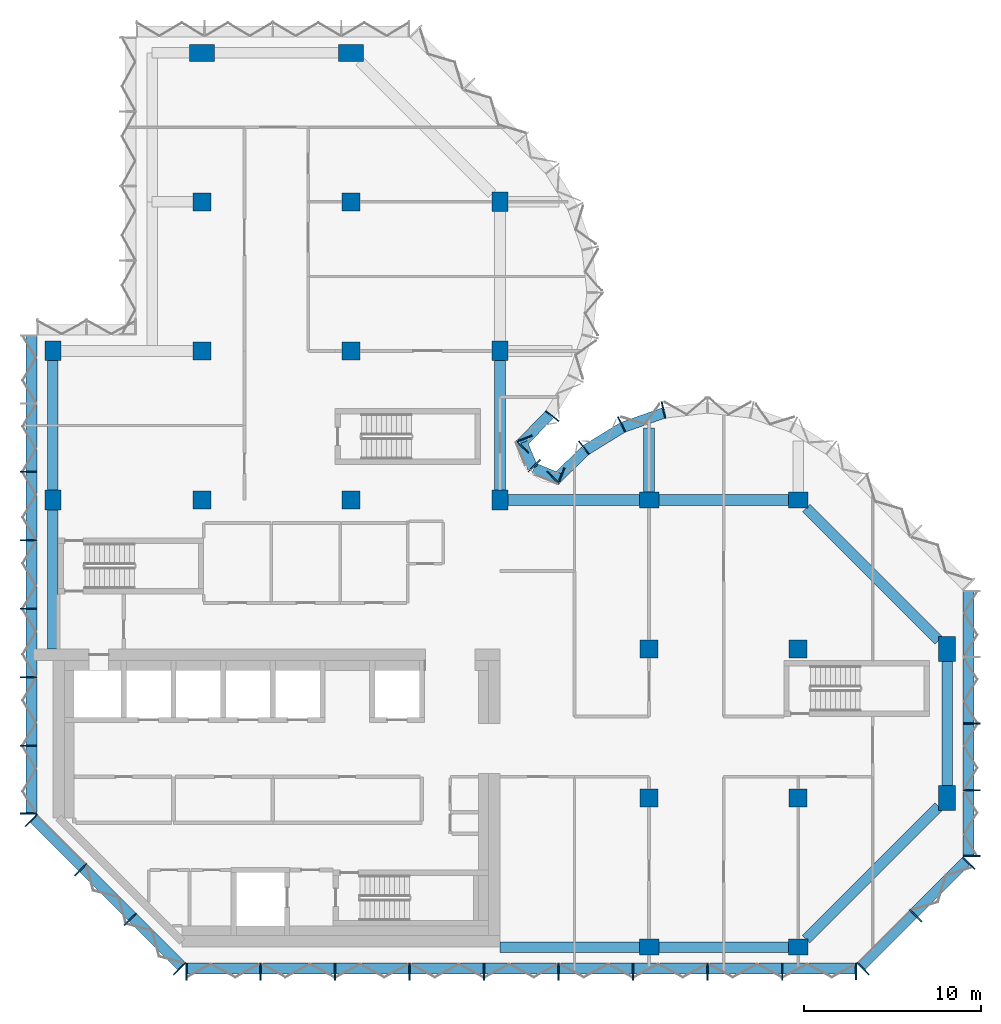
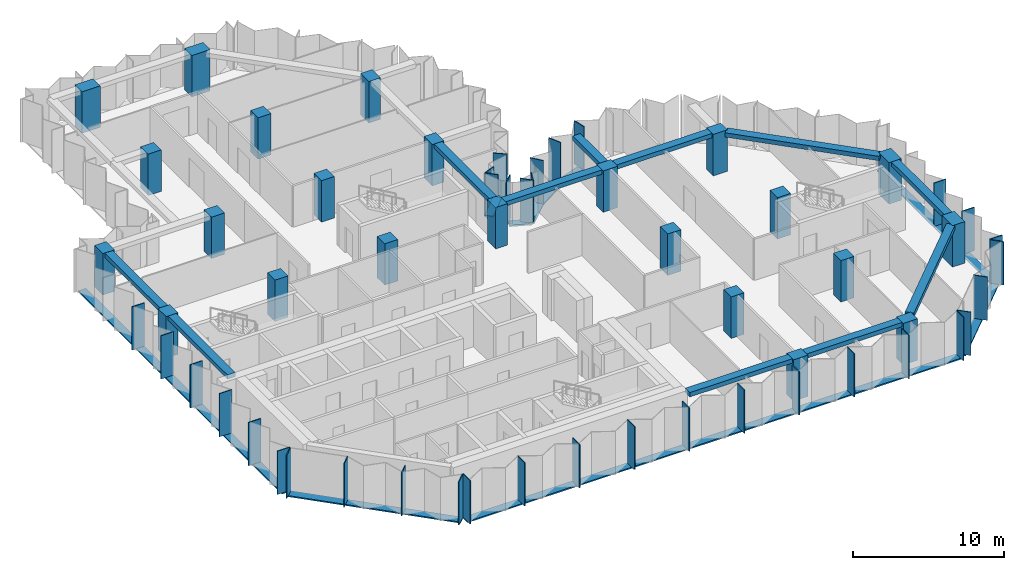
# One storey, part 1 of 10: 46 members, 23 columns, 11 beams, 8 elements without a shape of their own.
"""IFC4 building model written with IfcOpenShell, lengths in metres."""

from ifc_helpers import new_model, si_unit, direction, frame, origin, origin_2d, place, context, subcontext, project, spatial, rectangle, extrude, material, material_profile, profile_set, type_object, element, aggregate, save


model = new_model("IFC4")

# Units and contexts
model_context = context("Model", 3, precision=1e-05, world=origin(), true_north=direction((0.0, 1.0)))
body_context = subcontext(model_context, "Body", "Model", "MODEL_VIEW")
ifc_project = project(units=[si_unit("LENGTHUNIT", "METRE"), si_unit("AREAUNIT", "SQUARE_METRE"), si_unit("VOLUMEUNIT", "CUBIC_METRE"), si_unit("PLANEANGLEUNIT", "RADIAN"), si_unit("MASSUNIT", "GRAM", prefix="KILO")], contexts=[model_context])

# Site, building, storey
site_placement = place(None, origin())
site = spatial("IfcSite", under=ifc_project, at=site_placement, CompositionType="ELEMENT")
building_placement = place(site_placement, origin())
building = spatial("IfcBuilding", under=site, at=building_placement, Name="Brevane Broadcast Tower", CompositionType="ELEMENT")
storey_placement = place(building_placement, frame((0.0, 0.0, 199.199951171875)))
storey = spatial("IfcBuildingStorey", under=building, at=storey_placement, Name="L50", CompositionType="ELEMENT", Elevation=199.199951171875)

# Columns
ifc_material_1 = material(Name="Concrete C60/75", Category="concrete")
ifc_material_profile_1 = material_profile(ifc_material_1, rectangle(XDim=0.89990234375, YDim=1.10009765625, at=origin_2d()), Name="RC 900x1100")
ifc_profile_set_1 = profile_set([ifc_material_profile_1], Name="Concrete C60/75")
column_type_1 = type_object("IfcColumnType", Name="RC COLUMN EDGE 900x1100 C60/75", PredefinedType="COLUMN", material=ifc_profile_set_1)
for number, where, z_axis, x_axis, name in (
    (1, (0.0, 25.199951171875, 0.0), (0.0, 0.0, 1.0), (1.0, 0.0, 0.0), "CE11 1/D"),
    (2, (0.0, 33.60009765625, 0.0), (0.0, 0.0, 1.0), (1.0, 0.0, 0.0), "CE11 1/E"),
    (3, (25.199951171875, 25.199951171875, 0.0), (0.0, 0.0, 1.0), (1.0, 0.0, 0.0), "CE11 4/D"),
    (4, (25.199951171875, 33.60009765625, 0.0), (0.0, 0.0, 1.0), (1.0, 0.0, 0.0), "CE11 4/E"),
    (5, (25.199951171875, 42.0, 0.0), (0.0, 0.0, 1.0), (1.0, 0.0, 0.0), "CE11 4/F"),
    (6, (33.60009765625, 0.0, 0.0), (0.0, 0.0, 1.0), (0.0, 1.0, 0.0), "CE11 5/A"),
    (7, (33.60009765625, 25.199951171875, 0.0), (0.0, 0.0, 1.0), (0.0, 1.0, 0.0), "CE11 5/D"),
    (8, (42.0, 0.0, 0.0), (0.0, 0.0, 1.0), (0.0, 1.0, 0.0), "CE11 6/A"),
    (9, (42.0, 25.199951171875, 0.0), (0.0, 0.0, 1.0), (0.0, 1.0, 0.0), "CE11 6/D"),
):
    element("IfcColumn", number, at=place(storey_placement, frame(where, z_axis=z_axis, x_axis=x_axis)), inside=storey, type_object=column_type_1, Name=name, PredefinedType="COLUMN", context=body_context, shape_type="SweptSolid", body=[
        extrude(rectangle(XDim=0.89990234375, YDim=1.10009765625, at=origin_2d()), origin(), (0.0, 0.0, 1.0), 3.35009765625),
    ])
ifc_material_profile_2 = material_profile(ifc_material_1, rectangle(XDim=1.0, YDim=1.0, at=origin_2d()), Name="RC 1000x1000")
ifc_profile_set_2 = profile_set([ifc_material_profile_2], Name="Concrete C60/75")
column_type_2 = type_object("IfcColumnType", Name="RC COLUMN INTERIOR 1000x1000 C60/75", PredefinedType="COLUMN", material=ifc_profile_set_2)
for number, where, z_axis, x_axis, name in (
    (10, (8.39990234375, 25.199951171875, 0.0), (0.0, 0.0, 1.0), (1.0, 0.0, 0.0), "CI12 2/D"),
    (11, (8.39990234375, 33.60009765625, 0.0), (0.0, 0.0, 1.0), (1.0, 0.0, 0.0), "CI12 2/E"),
    (12, (8.39990234375, 42.0, 0.0), (0.0, 0.0, 1.0), (1.0, 0.0, 0.0), "CI12 2/F"),
    (13, (16.800048828125, 25.199951171875, 0.0), (0.0, 0.0, 1.0), (1.0, 0.0, 0.0), "CI12 3/D"),
    (14, (16.800048828125, 33.60009765625, 0.0), (0.0, 0.0, 1.0), (1.0, 0.0, 0.0), "CI12 3/E"),
    (15, (16.800048828125, 42.0, 0.0), (0.0, 0.0, 1.0), (1.0, 0.0, 0.0), "CI12 3/F"),
    (16, (33.60009765625, 8.39990234375, 0.0), (0.0, 0.0, 1.0), (1.0, 0.0, 0.0), "CI12 5/B"),
    (17, (33.60009765625, 16.800048828125, 0.0), (0.0, 0.0, 1.0), (1.0, 0.0, 0.0), "CI12 5/C"),
    (18, (42.0, 8.39990234375, 0.0), (0.0, 0.0, 1.0), (1.0, 0.0, 0.0), "CI12 6/B"),
    (19, (42.0, 16.800048828125, 0.0), (0.0, 0.0, 1.0), (1.0, 0.0, 0.0), "CI12 6/C"),
):
    element("IfcColumn", number, at=place(storey_placement, frame(where, z_axis=z_axis, x_axis=x_axis)), inside=storey, type_object=column_type_2, Name=name, PredefinedType="COLUMN", context=body_context, shape_type="SweptSolid", body=[
        extrude(rectangle(XDim=1.0, YDim=1.0, at=origin_2d()), origin(), (0.0, 0.0, 1.0), 3.35009765625),
    ])
ifc_material_profile_3 = material_profile(ifc_material_1, rectangle(XDim=0.949951171875, YDim=1.39990234375, at=origin_2d()), Name="RC 950x1400")
ifc_profile_set_3 = profile_set([ifc_material_profile_3], Name="Concrete C60/75")
column_type_3 = type_object("IfcColumnType", Name="RC COLUMN WING-END 950x1400 C60/75", PredefinedType="COLUMN", material=ifc_profile_set_3)
for number, where, z_axis, x_axis, name in (
    (20, (8.39990234375, 50.39990234375, 0.0), (0.0, 0.0, 1.0), (0.0, 1.0, 0.0), "CW13 2/G"),
    (21, (16.800048828125, 50.39990234375, 0.0), (0.0, 0.0, 1.0), (0.0, 1.0, 0.0), "CW13 3/G"),
    (22, (50.39990234375, 8.39990234375, 0.0), (0.0, 0.0, 1.0), (1.0, 0.0, 0.0), "CW13 7/B"),
    (23, (50.39990234375, 16.800048828125, 0.0), (0.0, 0.0, 1.0), (1.0, 0.0, 0.0), "CW13 7/C"),
):
    element("IfcColumn", number, at=place(storey_placement, frame(where, z_axis=z_axis, x_axis=x_axis)), inside=storey, type_object=column_type_3, Name=name, PredefinedType="COLUMN", context=body_context, shape_type="SweptSolid", body=[
        extrude(rectangle(XDim=0.949951171875, YDim=1.39990234375, at=origin_2d()), origin(), (0.0, 0.0, 1.0), 3.35009765625),
    ])

# Curtain wall, members
ifc_material_2 = material(Name="Aluminium 6063-T6 bronze anodised", Category="aluminium")
curtain_wall_type = type_object("IfcCurtainWallType", Name="CW-1 curtain wall", PredefinedType="NOTDEFINED", material=ifc_material_2)
curtain_wall_1_placement = place(storey_placement, origin())
curtain_wall_1 = element("IfcCurtainWall", 24, at=curtain_wall_1_placement, inside=storey, type_object=curtain_wall_type, Name="CW-1 typical tilted unit L50 south face", PredefinedType="NOTDEFINED")
ifc_material_profile_4 = material_profile(ifc_material_2, rectangle(XDim=0.949951171875, YDim=0.070068359375, at=origin_2d()), Name="RECT 70x950")
ifc_profile_set_4 = profile_set([ifc_material_profile_4], Name="Aluminium 6063-T6 bronze anodised")
member_type_1 = type_object("IfcMemberType", Name="CW-1 mullion 70x950", PredefinedType="MULLION", material=ifc_profile_set_4)
member_1_placement = place(storey_placement, frame((7.534912109375, -1.375, -0.14990234375), z_axis=(0.0, 0.0, 1.0), x_axis=(0.0, 1.0, 0.0)))
member_1 = element("IfcMember", 25, at=member_1_placement, type_object=member_type_1, Name="CW-1 mullion", PredefinedType="MULLION", context=body_context, shape_type="SweptSolid", body=[
    extrude(rectangle(XDim=0.949951171875, YDim=0.070068359375, at=origin_2d()), origin(), (0.0, 0.0, 1.0), 3.5),
])
member_2_placement = place(storey_placement, frame((11.699951171875, -1.375, -0.14990234375), z_axis=(0.0, 0.0, 1.0), x_axis=(0.0, 1.0, 0.0)))
member_2 = element("IfcMember", 26, at=member_2_placement, type_object=member_type_1, Name="CW-1 mullion", PredefinedType="MULLION", context=body_context, shape_type="SweptSolid", body=[
    extrude(rectangle(XDim=0.949951171875, YDim=0.070068359375, at=origin_2d()), origin(), (0.0, 0.0, 1.0), 3.5),
])
member_3_placement = place(storey_placement, frame((15.89990234375, -1.375, -0.14990234375), z_axis=(0.0, 0.0, 1.0), x_axis=(0.0, 1.0, 0.0)))
member_3 = element("IfcMember", 27, at=member_3_placement, type_object=member_type_1, Name="CW-1 mullion", PredefinedType="MULLION", context=body_context, shape_type="SweptSolid", body=[
    extrude(rectangle(XDim=0.949951171875, YDim=0.070068359375, at=origin_2d()), origin(), (0.0, 0.0, 1.0), 3.5),
])
member_4_placement = place(storey_placement, frame((20.10009765625, -1.375, -0.14990234375), z_axis=(0.0, 0.0, 1.0), x_axis=(0.0, 1.0, 0.0)))
member_4 = element("IfcMember", 28, at=member_4_placement, type_object=member_type_1, Name="CW-1 mullion", PredefinedType="MULLION", context=body_context, shape_type="SweptSolid", body=[
    extrude(rectangle(XDim=0.949951171875, YDim=0.070068359375, at=origin_2d()), origin(), (0.0, 0.0, 1.0), 3.5),
])
member_5_placement = place(storey_placement, frame((24.300048828125, -1.375, -0.14990234375), z_axis=(0.0, 0.0, 1.0), x_axis=(0.0, 1.0, 0.0)))
member_5 = element("IfcMember", 29, at=member_5_placement, type_object=member_type_1, Name="CW-1 mullion", PredefinedType="MULLION", context=body_context, shape_type="SweptSolid", body=[
    extrude(rectangle(XDim=0.949951171875, YDim=0.070068359375, at=origin_2d()), origin(), (0.0, 0.0, 1.0), 3.5),
])
member_6_placement = place(storey_placement, frame((28.5, -1.375, -0.14990234375), z_axis=(0.0, 0.0, 1.0), x_axis=(0.0, 1.0, 0.0)))
member_6 = element("IfcMember", 30, at=member_6_placement, type_object=member_type_1, Name="CW-1 mullion", PredefinedType="MULLION", context=body_context, shape_type="SweptSolid", body=[
    extrude(rectangle(XDim=0.949951171875, YDim=0.070068359375, at=origin_2d()), origin(), (0.0, 0.0, 1.0), 3.5),
])
member_7_placement = place(storey_placement, frame((32.699951171875, -1.375, -0.14990234375), z_axis=(0.0, 0.0, 1.0), x_axis=(0.0, 1.0, 0.0)))
member_7 = element("IfcMember", 31, at=member_7_placement, type_object=member_type_1, Name="CW-1 mullion", PredefinedType="MULLION", context=body_context, shape_type="SweptSolid", body=[
    extrude(rectangle(XDim=0.949951171875, YDim=0.070068359375, at=origin_2d()), origin(), (0.0, 0.0, 1.0), 3.5),
])
member_8_placement = place(storey_placement, frame((36.89990234375, -1.375, -0.14990234375), z_axis=(0.0, 0.0, 1.0), x_axis=(0.0, 1.0, 0.0)))
member_8 = element("IfcMember", 32, at=member_8_placement, type_object=member_type_1, Name="CW-1 mullion", PredefinedType="MULLION", context=body_context, shape_type="SweptSolid", body=[
    extrude(rectangle(XDim=0.949951171875, YDim=0.070068359375, at=origin_2d()), origin(), (0.0, 0.0, 1.0), 3.5),
])
member_9_placement = place(storey_placement, frame((41.10009765625, -1.375, -0.14990234375), z_axis=(0.0, 0.0, 1.0), x_axis=(0.0, 1.0, 0.0)))
member_9 = element("IfcMember", 33, at=member_9_placement, type_object=member_type_1, Name="CW-1 mullion", PredefinedType="MULLION", context=body_context, shape_type="SweptSolid", body=[
    extrude(rectangle(XDim=0.949951171875, YDim=0.070068359375, at=origin_2d()), origin(), (0.0, 0.0, 1.0), 3.5),
])
member_10_placement = place(storey_placement, frame((45.264892578125, -1.375, -0.14990234375), z_axis=(0.0, 0.0, 1.0), x_axis=(0.0, 1.0, 0.0)))
member_10 = element("IfcMember", 34, at=member_10_placement, type_object=member_type_1, Name="CW-1 mullion", PredefinedType="MULLION", context=body_context, shape_type="SweptSolid", body=[
    extrude(rectangle(XDim=0.949951171875, YDim=0.070068359375, at=origin_2d()), origin(), (0.0, 0.0, 1.0), 3.5),
])

curtain_wall_2_placement = place(storey_placement, origin())
curtain_wall_2 = element("IfcCurtainWall", 35, at=curtain_wall_2_placement, inside=storey, type_object=curtain_wall_type, Name="CW-1 typical tilted unit L50 south-east chamfer", PredefinedType="NOTDEFINED")
member_11_placement = place(storey_placement, frame((45.66064453125, -1.211181640625, -0.14990234375), z_axis=(0.0, 0.0, 1.0), x_axis=(-0.707106781187, 0.707106781187, 0.0)))
member_11 = element("IfcMember", 36, at=member_11_placement, type_object=member_type_1, Name="CW-1 mullion", PredefinedType="MULLION", context=body_context, shape_type="SweptSolid", body=[
    extrude(rectangle(XDim=0.949951171875, YDim=0.070068359375, at=origin_2d()), origin(), (0.0, 0.0, 1.0), 3.5),
])
member_12_placement = place(storey_placement, frame((48.635986328125, 1.76416015625, -0.14990234375), z_axis=(0.0, 0.0, 1.0), x_axis=(-0.707106781187, 0.707106781187, 0.0)))
member_12 = element("IfcMember", 37, at=member_12_placement, type_object=member_type_1, Name="CW-1 mullion", PredefinedType="MULLION", context=body_context, shape_type="SweptSolid", body=[
    extrude(rectangle(XDim=0.949951171875, YDim=0.070068359375, at=origin_2d()), origin(), (0.0, 0.0, 1.0), 3.5),
])
member_13_placement = place(storey_placement, frame((51.611083984375, 4.7392578125, -0.14990234375), z_axis=(0.0, 0.0, 1.0), x_axis=(-0.707106781187, 0.707106781187, 0.0)))
member_13 = element("IfcMember", 38, at=member_13_placement, type_object=member_type_1, Name="CW-1 mullion", PredefinedType="MULLION", context=body_context, shape_type="SweptSolid", body=[
    extrude(rectangle(XDim=0.949951171875, YDim=0.070068359375, at=origin_2d()), origin(), (0.0, 0.0, 1.0), 3.5),
])

curtain_wall_3_placement = place(storey_placement, origin())
curtain_wall_3 = element("IfcCurtainWall", 39, at=curtain_wall_3_placement, inside=storey, type_object=curtain_wall_type, Name="CW-1 typical tilted unit L50 east end", PredefinedType="NOTDEFINED")
member_14_placement = place(storey_placement, frame((51.77490234375, 5.135009765625, -0.14990234375), z_axis=(0.0, 0.0, 1.0), x_axis=(-1.0, 0.0, 0.0)))
member_14 = element("IfcMember", 40, at=member_14_placement, type_object=member_type_1, Name="CW-1 mullion", PredefinedType="MULLION", context=body_context, shape_type="SweptSolid", body=[
    extrude(rectangle(XDim=0.949951171875, YDim=0.070068359375, at=origin_2d()), origin(), (0.0, 0.0, 1.0), 3.5),
])
member_15_placement = place(storey_placement, frame((51.77490234375, 8.85009765625, -0.14990234375), z_axis=(0.0, 0.0, 1.0), x_axis=(-1.0, 0.0, 0.0)))
member_15 = element("IfcMember", 41, at=member_15_placement, type_object=member_type_1, Name="CW-1 mullion", PredefinedType="MULLION", context=body_context, shape_type="SweptSolid", body=[
    extrude(rectangle(XDim=0.949951171875, YDim=0.070068359375, at=origin_2d()), origin(), (0.0, 0.0, 1.0), 3.5),
])
member_16_placement = place(storey_placement, frame((51.77490234375, 12.60009765625, -0.14990234375), z_axis=(0.0, 0.0, 1.0), x_axis=(-1.0, 0.0, 0.0)))
member_16 = element("IfcMember", 42, at=member_16_placement, type_object=member_type_1, Name="CW-1 mullion", PredefinedType="MULLION", context=body_context, shape_type="SweptSolid", body=[
    extrude(rectangle(XDim=0.949951171875, YDim=0.070068359375, at=origin_2d()), origin(), (0.0, 0.0, 1.0), 3.5),
])

curtain_wall_4_placement = place(storey_placement, origin())
curtain_wall_4 = element("IfcCurtainWall", 43, at=curtain_wall_4_placement, inside=storey, type_object=curtain_wall_type, Name="CW-1 typical tilted unit L50 east bow", PredefinedType="NOTDEFINED")
member_17_placement = place(storey_placement, frame((34.411865234375, 30.28076171875, -0.14990234375), z_axis=(0.0, 0.0, 1.0), x_axis=(0.224806535479, -0.974403418306, 0.0)))
member_17 = element("IfcMember", 44, at=member_17_placement, type_object=member_type_1, Name="CW-1 mullion", PredefinedType="MULLION", context=body_context, shape_type="SweptSolid", body=[
    extrude(rectangle(XDim=0.949951171875, YDim=0.070068359375, at=origin_2d()), origin(), (0.0, 0.0, 1.0), 3.5),
])
member_18_placement = place(storey_placement, frame((32.05322265625, 29.4580078125, -0.14990234375), z_axis=(0.0, 0.0, 1.0), x_axis=(0.429933580394, -0.902860518823, 0.0)))
member_18 = element("IfcMember", 45, at=member_18_placement, type_object=member_type_1, Name="CW-1 mullion", PredefinedType="MULLION", context=body_context, shape_type="SweptSolid", body=[
    extrude(rectangle(XDim=0.949951171875, YDim=0.070068359375, at=origin_2d()), origin(), (0.0, 0.0, 1.0), 3.5),
])
member_19_placement = place(storey_placement, frame((29.927978515625, 28.1455078125, -0.14990234375), z_axis=(0.0, 0.0, 1.0), x_axis=(0.614769698862, -0.788706673841, 0.0)))
member_19 = element("IfcMember", 46, at=member_19_placement, type_object=member_type_1, Name="CW-1 mullion", PredefinedType="MULLION", context=body_context, shape_type="SweptSolid", body=[
    extrude(rectangle(XDim=0.949951171875, YDim=0.070068359375, at=origin_2d()), origin(), (0.0, 0.0, 1.0), 3.5),
])
member_20_placement = place(storey_placement, frame((28.194091796875, 26.465087890625, -0.14990234375), z_axis=(0.0, 0.0, 1.0), x_axis=(0.696812089895, -0.717253728729, 0.0)))
member_20 = element("IfcMember", 47, at=member_20_placement, type_object=member_type_1, Name="CW-1 mullion", PredefinedType="MULLION", context=body_context, shape_type="SweptSolid", body=[
    extrude(rectangle(XDim=0.949951171875, YDim=0.070068359375, at=origin_2d()), origin(), (0.0, 0.0, 1.0), 3.5),
])

curtain_wall_5_placement = place(storey_placement, origin())
curtain_wall_5 = element("IfcCurtainWall", 48, at=curtain_wall_5_placement, inside=storey, type_object=curtain_wall_type, Name="CW-1 typical tilted unit L50 inner corner", PredefinedType="NOTDEFINED")
member_21_placement = place(storey_placement, frame((28.6494140625, 26.55224609375, -0.14990234375), z_axis=(0.0, 0.0, 1.0), x_axis=(-0.382683432365, -0.923879532511, 0.0)))
member_21 = element("IfcMember", 49, at=member_21_placement, type_object=member_type_1, Name="CW-1 mullion", PredefinedType="MULLION", context=body_context, shape_type="SweptSolid", body=[
    extrude(rectangle(XDim=0.949951171875, YDim=0.070068359375, at=origin_2d()), origin(), (0.0, 0.0, 1.0), 3.5),
])
member_22_placement = place(storey_placement, frame((27.138916015625, 27.138916015625, -0.14990234375), z_axis=(0.0, 0.0, 1.0), x_axis=(-0.707106781187, -0.707106781187, 0.0)))
member_22 = element("IfcMember", 50, at=member_22_placement, type_object=member_type_1, Name="CW-1 mullion", PredefinedType="MULLION", context=body_context, shape_type="SweptSolid", body=[
    extrude(rectangle(XDim=0.949951171875, YDim=0.070068359375, at=origin_2d()), origin(), (0.0, 0.0, 1.0), 3.5),
])
member_23_placement = place(storey_placement, frame((26.55224609375, 28.6494140625, -0.14990234375), z_axis=(0.0, 0.0, 1.0), x_axis=(-0.923879532511, -0.382683432365, 0.0)))
member_23 = element("IfcMember", 51, at=member_23_placement, type_object=member_type_1, Name="CW-1 mullion", PredefinedType="MULLION", context=body_context, shape_type="SweptSolid", body=[
    extrude(rectangle(XDim=0.949951171875, YDim=0.070068359375, at=origin_2d()), origin(), (0.0, 0.0, 1.0), 3.5),
])

curtain_wall_6_placement = place(storey_placement, origin())
curtain_wall_6 = element("IfcCurtainWall", 52, at=curtain_wall_6_placement, inside=storey, type_object=curtain_wall_type, Name="CW-1 typical tilted unit L50 north bow", PredefinedType="NOTDEFINED")
member_24_placement = place(storey_placement, frame((26.465087890625, 28.194091796875, -0.14990234375), z_axis=(0.0, 0.0, 1.0), x_axis=(-0.717253728729, 0.696812089895, 0.0)))
member_24 = element("IfcMember", 53, at=member_24_placement, type_object=member_type_1, Name="CW-1 mullion", PredefinedType="MULLION", context=body_context, shape_type="SweptSolid", body=[
    extrude(rectangle(XDim=0.949951171875, YDim=0.070068359375, at=origin_2d()), origin(), (0.0, 0.0, 1.0), 3.5),
])
member_25_placement = place(storey_placement, frame((28.1455078125, 29.927978515625, -0.14990234375), z_axis=(0.0, 0.0, 1.0), x_axis=(-0.788706673841, 0.614769698862, 0.0)))
member_25 = element("IfcMember", 54, at=member_25_placement, type_object=member_type_1, Name="CW-1 mullion", PredefinedType="MULLION", context=body_context, shape_type="SweptSolid", body=[
    extrude(rectangle(XDim=0.949951171875, YDim=0.070068359375, at=origin_2d()), origin(), (0.0, 0.0, 1.0), 3.5),
])

curtain_wall_7_placement = place(storey_placement, origin())
curtain_wall_7 = element("IfcCurtainWall", 55, at=curtain_wall_7_placement, inside=storey, type_object=curtain_wall_type, Name="CW-1 typical tilted unit L50 west face", PredefinedType="NOTDEFINED")
member_26_placement = place(storey_placement, frame((-1.375, 26.78564453125, -0.14990234375), z_axis=(0.0, 0.0, 1.0), x_axis=(1.0, 0.0, 0.0)))
member_26 = element("IfcMember", 56, at=member_26_placement, type_object=member_type_1, Name="CW-1 mullion", PredefinedType="MULLION", context=body_context, shape_type="SweptSolid", body=[
    extrude(rectangle(XDim=0.949951171875, YDim=0.070068359375, at=origin_2d()), origin(), (0.0, 0.0, 1.0), 3.5),
])
member_27_placement = place(storey_placement, frame((-1.375, 22.928466796875, -0.14990234375), z_axis=(0.0, 0.0, 1.0), x_axis=(1.0, 0.0, 0.0)))
member_27 = element("IfcMember", 57, at=member_27_placement, type_object=member_type_1, Name="CW-1 mullion", PredefinedType="MULLION", context=body_context, shape_type="SweptSolid", body=[
    extrude(rectangle(XDim=0.949951171875, YDim=0.070068359375, at=origin_2d()), origin(), (0.0, 0.0, 1.0), 3.5),
])
member_28_placement = place(storey_placement, frame((-1.375, 19.071533203125, -0.14990234375), z_axis=(0.0, 0.0, 1.0), x_axis=(1.0, 0.0, 0.0)))
member_28 = element("IfcMember", 58, at=member_28_placement, type_object=member_type_1, Name="CW-1 mullion", PredefinedType="MULLION", context=body_context, shape_type="SweptSolid", body=[
    extrude(rectangle(XDim=0.949951171875, YDim=0.070068359375, at=origin_2d()), origin(), (0.0, 0.0, 1.0), 3.5),
])
member_29_placement = place(storey_placement, frame((-1.375, 15.21435546875, -0.14990234375), z_axis=(0.0, 0.0, 1.0), x_axis=(1.0, 0.0, 0.0)))
member_29 = element("IfcMember", 59, at=member_29_placement, type_object=member_type_1, Name="CW-1 mullion", PredefinedType="MULLION", context=body_context, shape_type="SweptSolid", body=[
    extrude(rectangle(XDim=0.949951171875, YDim=0.070068359375, at=origin_2d()), origin(), (0.0, 0.0, 1.0), 3.5),
])
member_30_placement = place(storey_placement, frame((-1.375, 11.357177734375, -0.14990234375), z_axis=(0.0, 0.0, 1.0), x_axis=(1.0, 0.0, 0.0)))
member_30 = element("IfcMember", 60, at=member_30_placement, type_object=member_type_1, Name="CW-1 mullion", PredefinedType="MULLION", context=body_context, shape_type="SweptSolid", body=[
    extrude(rectangle(XDim=0.949951171875, YDim=0.070068359375, at=origin_2d()), origin(), (0.0, 0.0, 1.0), 3.5),
])
member_31_placement = place(storey_placement, frame((-1.375, 7.534912109375, -0.14990234375), z_axis=(0.0, 0.0, 1.0), x_axis=(1.0, 0.0, 0.0)))
member_31 = element("IfcMember", 61, at=member_31_placement, type_object=member_type_1, Name="CW-1 mullion", PredefinedType="MULLION", context=body_context, shape_type="SweptSolid", body=[
    extrude(rectangle(XDim=0.949951171875, YDim=0.070068359375, at=origin_2d()), origin(), (0.0, 0.0, 1.0), 3.5),
])

curtain_wall_8_placement = place(storey_placement, origin())
curtain_wall_8 = element("IfcCurtainWall", 62, at=curtain_wall_8_placement, inside=storey, type_object=curtain_wall_type, Name="CW-1 typical tilted unit L50 south-west chamfer", PredefinedType="NOTDEFINED")
member_32_placement = place(storey_placement, frame((-1.211181640625, 7.139404296875, -0.14990234375), z_axis=(0.0, 0.0, 1.0), x_axis=(0.707106781187, 0.707106781187, 0.0)))
member_32 = element("IfcMember", 63, at=member_32_placement, type_object=member_type_1, Name="CW-1 mullion", PredefinedType="MULLION", context=body_context, shape_type="SweptSolid", body=[
    extrude(rectangle(XDim=0.949951171875, YDim=0.070068359375, at=origin_2d()), origin(), (0.0, 0.0, 1.0), 3.5),
])
member_33_placement = place(storey_placement, frame((1.564208984375, 4.364013671875, -0.14990234375), z_axis=(0.0, 0.0, 1.0), x_axis=(0.707106781187, 0.707106781187, 0.0)))
member_33 = element("IfcMember", 64, at=member_33_placement, type_object=member_type_1, Name="CW-1 mullion", PredefinedType="MULLION", context=body_context, shape_type="SweptSolid", body=[
    extrude(rectangle(XDim=0.949951171875, YDim=0.070068359375, at=origin_2d()), origin(), (0.0, 0.0, 1.0), 3.5),
])
member_34_placement = place(storey_placement, frame((4.364013671875, 1.564208984375, -0.14990234375), z_axis=(0.0, 0.0, 1.0), x_axis=(0.707106781187, 0.707106781187, 0.0)))
member_34 = element("IfcMember", 65, at=member_34_placement, type_object=member_type_1, Name="CW-1 mullion", PredefinedType="MULLION", context=body_context, shape_type="SweptSolid", body=[
    extrude(rectangle(XDim=0.949951171875, YDim=0.070068359375, at=origin_2d()), origin(), (0.0, 0.0, 1.0), 3.5),
])
member_35_placement = place(storey_placement, frame((7.139404296875, -1.211181640625, -0.14990234375), z_axis=(0.0, 0.0, 1.0), x_axis=(0.707106781187, 0.707106781187, 0.0)))
member_35 = element("IfcMember", 66, at=member_35_placement, type_object=member_type_1, Name="CW-1 mullion", PredefinedType="MULLION", context=body_context, shape_type="SweptSolid", body=[
    extrude(rectangle(XDim=0.949951171875, YDim=0.070068359375, at=origin_2d()), origin(), (0.0, 0.0, 1.0), 3.5),
])

# Member
ifc_material_profile_5 = material_profile(ifc_material_2, rectangle(XDim=0.60009765625, YDim=0.10009765625, at=origin_2d()), Name="RECT 100x600")
ifc_profile_set_5 = profile_set([ifc_material_profile_5], Name="Aluminium 6063-T6 bronze anodised")
member_type_2 = type_object("IfcMemberType", Name="CW-1 transom 100x600", PredefinedType="USERDEFINED", material=ifc_profile_set_5)
member_36_placement = place(storey_placement, frame((7.5, -1.199951171875, -0.199951171875), z_axis=(1.0, 0.0, 0.0), x_axis=(0.0, 1.0, 0.0)))
member_36 = element("IfcMember", 67, at=member_36_placement, type_object=member_type_2, Name="CW-1 transom", ObjectType="TRANSOM", PredefinedType="USERDEFINED", context=body_context, shape_type="SweptSolid", body=[
    extrude(rectangle(XDim=0.60009765625, YDim=0.10009765625, at=origin_2d()), origin(), (0.0, 0.0, 1.0), 37.800048828125),
])

aggregate(curtain_wall_1, [member_1, member_2, member_3, member_4, member_5, member_6, member_7, member_8, member_9, member_10, member_36])

member_37_placement = place(storey_placement, frame((45.51220703125, -1.112060546875, -0.199951171875), z_axis=(0.707106781187, 0.707106781187, 0.0), x_axis=(-0.707106781187, 0.707106781187, 0.0)))
member_37 = element("IfcMember", 68, at=member_37_placement, type_object=member_type_2, Name="CW-1 transom", ObjectType="TRANSOM", PredefinedType="USERDEFINED", context=body_context, shape_type="SweptSolid", body=[
    extrude(rectangle(XDim=0.60009765625, YDim=0.10009765625, at=origin_2d()), origin(), (0.0, 0.0, 1.0), 8.4853515625),
])

aggregate(curtain_wall_2, [member_11, member_12, member_13, member_37])

member_38_placement = place(storey_placement, frame((51.60009765625, 5.10009765625, -0.199951171875), z_axis=(0.0, 1.0, 0.0), x_axis=(-1.0, 0.0, 0.0)))
member_38 = element("IfcMember", 69, at=member_38_placement, type_object=member_type_2, Name="CW-1 transom", ObjectType="TRANSOM", PredefinedType="USERDEFINED", context=body_context, shape_type="SweptSolid", body=[
    extrude(rectangle(XDim=0.60009765625, YDim=0.10009765625, at=origin_2d()), origin(), (0.0, 0.0, 1.0), 15.0),
])

aggregate(curtain_wall_3, [member_14, member_15, member_16, member_38])

member_39_placement = place(storey_placement, frame((34.425048828125, 30.10302734375, -0.199951171875), z_axis=(-0.944197969542, -0.329378497041, 0.0), x_axis=(0.329378497041, -0.944197969542, 0.0)))
member_39 = element("IfcMember", 70, at=member_39_placement, type_object=member_type_2, Name="CW-1 transom", ObjectType="TRANSOM", PredefinedType="USERDEFINED", context=body_context, shape_type="SweptSolid", body=[
    extrude(rectangle(XDim=0.60009765625, YDim=0.10009765625, at=origin_2d()), origin(), (0.0, 0.0, 1.0), 2.394775390625),
])

member_40_placement = place(storey_placement, frame((32.09521484375, 29.281494140625, -0.199951171875), z_axis=(-0.850838211365, -0.525427766759, 0.0), x_axis=(0.525427766759, -0.850838211365, 0.0)))
member_40 = element("IfcMember", 71, at=member_40_placement, type_object=member_type_2, Name="CW-1 transom", ObjectType="TRANSOM", PredefinedType="USERDEFINED", context=body_context, shape_type="SweptSolid", body=[
    extrude(rectangle(XDim=0.60009765625, YDim=0.10009765625, at=origin_2d()), origin(), (0.0, 0.0, 1.0), 2.394775390625),
])

member_41_placement = place(storey_placement, frame((29.99951171875, 27.974365234375, -0.199951171875), z_axis=(-0.71724215871, -0.696823999134, 0.0), x_axis=(0.696823999134, -0.71724215871, 0.0)))
member_41 = element("IfcMember", 72, at=member_41_placement, type_object=member_type_2, Name="CW-1 transom", ObjectType="TRANSOM", PredefinedType="USERDEFINED", context=body_context, shape_type="SweptSolid", body=[
    extrude(rectangle(XDim=0.60009765625, YDim=0.10009765625, at=origin_2d()), origin(), (0.0, 0.0, 1.0), 2.247802734375),
])

aggregate(curtain_wall_4, [member_17, member_18, member_19, member_20, member_39, member_40, member_41])

member_42_placement = place(storey_placement, frame((28.528076171875, 26.40673828125, -0.199951171875), z_axis=(-0.923883243627, 0.382674472816, 0.0), x_axis=(-0.382674472816, -0.923883243627, 0.0)))
member_42 = element("IfcMember", 73, at=member_42_placement, type_object=member_type_2, Name="CW-1 transom", ObjectType="TRANSOM", PredefinedType="USERDEFINED", context=body_context, shape_type="SweptSolid", body=[
    extrude(rectangle(XDim=0.60009765625, YDim=0.10009765625, at=origin_2d()), origin(), (0.0, 0.0, 1.0), 1.536865234375),
])

member_43_placement = place(storey_placement, frame((27.039794921875, 27.0, -0.199951171875), z_axis=(-0.382674472816, 0.923883243627, 0.0), x_axis=(-0.923883243627, -0.382674472816, 0.0)))
member_43 = element("IfcMember", 74, at=member_43_placement, type_object=member_type_2, Name="CW-1 transom", ObjectType="TRANSOM", PredefinedType="USERDEFINED", context=body_context, shape_type="SweptSolid", body=[
    extrude(rectangle(XDim=0.60009765625, YDim=0.10009765625, at=origin_2d()), origin(), (0.0, 0.0, 1.0), 1.536865234375),
])

aggregate(curtain_wall_5, [member_21, member_22, member_23, member_42, member_43])

member_44_placement = place(storey_placement, frame((26.407958984375, 28.38720703125, -0.199951171875), z_axis=(0.696823999134, 0.71724215871, 0.0), x_axis=(-0.71724215871, 0.696823999134, 0.0)))
member_44 = element("IfcMember", 75, at=member_44_placement, type_object=member_type_2, Name="CW-1 transom", ObjectType="TRANSOM", PredefinedType="USERDEFINED", context=body_context, shape_type="SweptSolid", body=[
    extrude(rectangle(XDim=0.60009765625, YDim=0.10009765625, at=origin_2d()), origin(), (0.0, 0.0, 1.0), 2.247802734375),
])

aggregate(curtain_wall_6, [member_24, member_25, member_44])

member_45_placement = place(storey_placement, frame((-1.199951171875, 34.5, -0.199951171875), z_axis=(0.0, -1.0, 0.0), x_axis=(1.0, 0.0, 0.0)))
member_45 = element("IfcMember", 76, at=member_45_placement, type_object=member_type_2, Name="CW-1 transom", ObjectType="TRANSOM", PredefinedType="USERDEFINED", context=body_context, shape_type="SweptSolid", body=[
    extrude(rectangle(XDim=0.60009765625, YDim=0.10009765625, at=origin_2d()), origin(), (0.0, 0.0, 1.0), 27.0),
])

aggregate(curtain_wall_7, [member_26, member_27, member_28, member_29, member_30, member_31, member_45])

member_46_placement = place(storey_placement, frame((-1.112060546875, 7.287841796875, -0.199951171875), z_axis=(0.707106781187, -0.707106781187, 0.0), x_axis=(0.707106781187, 0.707106781187, 0.0)))
member_46 = element("IfcMember", 77, at=member_46_placement, type_object=member_type_2, Name="CW-1 transom", ObjectType="TRANSOM", PredefinedType="USERDEFINED", context=body_context, shape_type="SweptSolid", body=[
    extrude(rectangle(XDim=0.60009765625, YDim=0.10009765625, at=origin_2d()), origin(), (0.0, 0.0, 1.0), 11.879150390625),
])

aggregate(curtain_wall_8, [member_32, member_33, member_34, member_35, member_46])

# Beams
ifc_material_3 = material(Name="Concrete C40/50", Category="concrete")
ifc_material_profile_6 = material_profile(ifc_material_3, rectangle(XDim=0.60009765625, YDim=0.35009765625, at=origin_2d()), Name="RC 600x350")
ifc_profile_set_6 = profile_set([ifc_material_profile_6], Name="Concrete C40/50")
beam_type_1 = type_object("IfcBeamType", Name="RC BRACKET BEAM 600x350 C40/50", PredefinedType="BEAM", material=ifc_profile_set_6)
beam_1_placement = place(storey_placement, frame((33.60009765625, 25.64990234375, 3.175048828125), z_axis=(0.0, 1.0, 0.0), x_axis=(-1.0, 0.0, 0.0)))
element("IfcBeam", 78, at=beam_1_placement, inside=storey, type_object=beam_type_1, Name="EB2 L50-3", PredefinedType="BEAM", context=body_context, shape_type="SweptSolid", body=[
    extrude(rectangle(XDim=0.60009765625, YDim=0.35009765625, at=origin_2d()), origin(), (0.0, 0.0, 1.0), 3.612060546875),
])
ifc_material_profile_7 = material_profile(ifc_material_3, rectangle(XDim=0.60009765625, YDim=0.35009765625, at=origin_2d()), Name="RC 600x350")
ifc_profile_set_7 = profile_set([ifc_material_profile_7], Name="Concrete C40/50")
beam_type_2 = type_object("IfcBeamType", Name="RC SPANDREL BEAM 600x350 C40/50", PredefinedType="SPANDREL", material=ifc_profile_set_7)
beam_2_placement = place(storey_placement, frame((25.199951171875, 0.0, 3.175048828125), z_axis=(1.0, 0.0, 0.0), x_axis=(0.0, 1.0, 0.0)))
element("IfcBeam", 79, at=beam_2_placement, inside=storey, type_object=beam_type_2, Name="EB1 L50-1", PredefinedType="SPANDREL", context=body_context, shape_type="SweptSolid", body=[
    extrude(rectangle(XDim=0.60009765625, YDim=0.35009765625, at=origin_2d()), origin(), (0.0, 0.0, 1.0), 7.85009765625),
])
beam_3_placement = place(storey_placement, frame((34.14990234375, 0.0, 3.175048828125), z_axis=(1.0, 0.0, 0.0), x_axis=(0.0, 1.0, 0.0)))
element("IfcBeam", 80, at=beam_3_placement, inside=storey, type_object=beam_type_2, Name="EB1 L50-2", PredefinedType="SPANDREL", context=body_context, shape_type="SweptSolid", body=[
    extrude(rectangle(XDim=0.60009765625, YDim=0.35009765625, at=origin_2d()), origin(), (0.0, 0.0, 1.0), 7.300048828125),
])
beam_4_placement = place(storey_placement, frame((42.449951171875, 0.449951171875, 3.175048828125), z_axis=(0.707106781187, 0.707106781187, 0.0), x_axis=(-0.707106781187, 0.707106781187, 0.0)))
element("IfcBeam", 81, at=beam_4_placement, inside=storey, type_object=beam_type_2, Name="EB1 L50-3", PredefinedType="SPANDREL", context=body_context, shape_type="SweptSolid", body=[
    extrude(rectangle(XDim=0.60009765625, YDim=0.35009765625, at=origin_2d()), origin(), (0.0, 0.0, 1.0), 10.5712890625),
])
beam_5_placement = place(storey_placement, frame((50.39990234375, 9.10009765625, 3.175048828125), z_axis=(0.0, 1.0, 0.0), x_axis=(-1.0, 0.0, 0.0)))
element("IfcBeam", 82, at=beam_5_placement, inside=storey, type_object=beam_type_2, Name="EB1 L50-4", PredefinedType="SPANDREL", context=body_context, shape_type="SweptSolid", body=[
    extrude(rectangle(XDim=0.60009765625, YDim=0.35009765625, at=origin_2d()), origin(), (0.0, 0.0, 1.0), 7.0),
])
beam_6_placement = place(storey_placement, frame((49.925048828125, 17.27490234375, 3.175048828125), z_axis=(-0.707106781187, 0.707106781187, 0.0), x_axis=(-0.707106781187, -0.707106781187, 0.0)))
element("IfcBeam", 83, at=beam_6_placement, inside=storey, type_object=beam_type_2, Name="EB1 L50-5", PredefinedType="SPANDREL", context=body_context, shape_type="SweptSolid", body=[
    extrude(rectangle(XDim=0.60009765625, YDim=0.35009765625, at=origin_2d()), origin(), (0.0, 0.0, 1.0), 10.5712890625),
])
beam_7_placement = place(storey_placement, frame((41.449951171875, 25.199951171875, 3.175048828125), z_axis=(-1.0, 0.0, 0.0), x_axis=(0.0, -1.0, 0.0)))
element("IfcBeam", 84, at=beam_7_placement, inside=storey, type_object=beam_type_2, Name="EB1 L50-6", PredefinedType="SPANDREL", context=body_context, shape_type="SweptSolid", body=[
    extrude(rectangle(XDim=0.60009765625, YDim=0.35009765625, at=origin_2d()), origin(), (0.0, 0.0, 1.0), 7.300048828125),
])
beam_8_placement = place(storey_placement, frame((33.050048828125, 25.199951171875, 3.175048828125), z_axis=(-1.0, 0.0, 0.0), x_axis=(0.0, -1.0, 0.0)))
element("IfcBeam", 85, at=beam_8_placement, inside=storey, type_object=beam_type_2, Name="EB1 L50-7", PredefinedType="SPANDREL", context=body_context, shape_type="SweptSolid", body=[
    extrude(rectangle(XDim=0.60009765625, YDim=0.35009765625, at=origin_2d()), origin(), (0.0, 0.0, 1.0), 7.400146484375),
])
for number, where, z_axis, x_axis, name in (
    (86, (25.199951171875, 25.75, 3.175048828125), (0.0, 1.0, 0.0), (-1.0, 0.0, 0.0), "EB1 L50-8"),
    (87, (0.0, 33.050048828125, 3.175048828125), (0.0, -1.0, 0.0), (1.0, 0.0, 0.0), "EB1 L50-12"),
):
    element("IfcBeam", number, at=place(storey_placement, frame(where, z_axis=z_axis, x_axis=x_axis)), inside=storey, type_object=beam_type_2, Name=name, PredefinedType="SPANDREL", context=body_context, shape_type="SweptSolid", body=[
        extrude(rectangle(XDim=0.60009765625, YDim=0.35009765625, at=origin_2d()), origin(), (0.0, 0.0, 1.0), 7.300048828125),
    ])
beam_9_placement = place(storey_placement, frame((0.0, 24.64990234375, 3.175048828125), z_axis=(0.0, -1.0, 0.0), x_axis=(1.0, 0.0, 0.0)))
element("IfcBeam", 88, at=beam_9_placement, inside=storey, type_object=beam_type_2, Name="EB1 L50-13", PredefinedType="SPANDREL", context=body_context, shape_type="SweptSolid", body=[
    extrude(rectangle(XDim=0.60009765625, YDim=0.35009765625, at=origin_2d()), origin(), (0.0, 0.0, 1.0), 7.849853515625),
])

save(model, "model.ifc")
